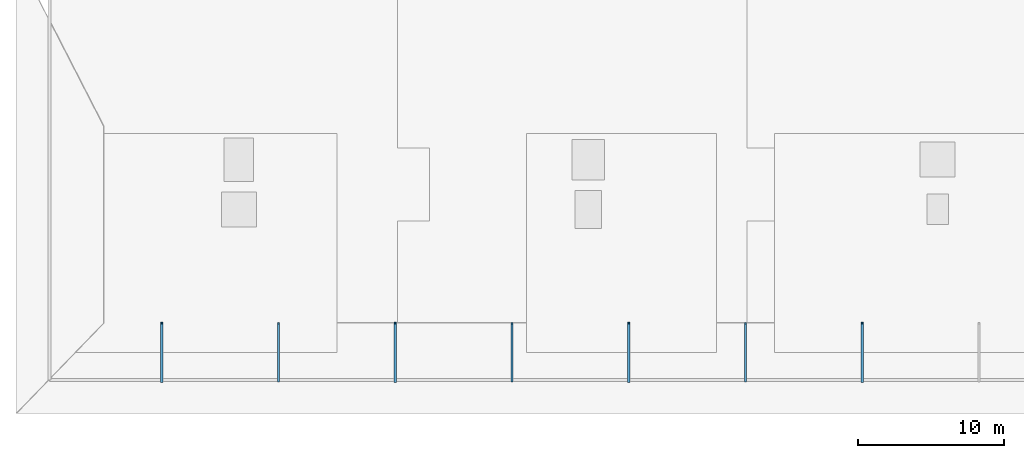
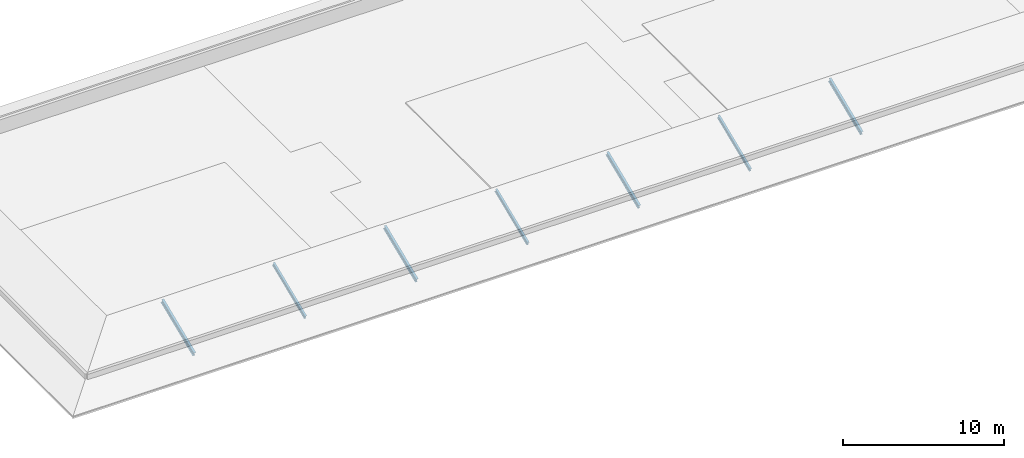
# One storey, part 1 of 98: 7 members.
"""IFC4 building model written with IfcOpenShell, lengths in metres."""

from ifc_helpers import new_model, si_unit, direction, frame, origin, origin_2d, place, context, subcontext, project, spatial, i_section, extrude, material, material_profile, profile_set, type_object, element, save


model = new_model("IFC4")

# Units and contexts
model_context = context("Model", 3, precision=1e-05, world=origin(), true_north=direction((0.0, 1.0)))
body_context = subcontext(model_context, "Body", "Model", "MODEL_VIEW")
ifc_project = project(units=[si_unit("LENGTHUNIT", "METRE"), si_unit("AREAUNIT", "SQUARE_METRE"), si_unit("VOLUMEUNIT", "CUBIC_METRE"), si_unit("PLANEANGLEUNIT", "RADIAN"), si_unit("MASSUNIT", "GRAM", prefix="KILO")], contexts=[model_context])

# Site, building, storey
site_placement = place(None, origin())
site = spatial("IfcSite", under=ifc_project, at=site_placement, CompositionType="ELEMENT")
building_placement = place(site_placement, origin())
building = spatial("IfcBuilding", under=site, at=building_placement, Name="Tlacozan Convention Centre", CompositionType="ELEMENT")
storey_placement = place(building_placement, frame((0.0, 0.0, 25.800048828125)))
storey = spatial("IfcBuildingStorey", under=building, at=storey_placement, Name="Roof", CompositionType="ELEMENT", Elevation=25.800048828125)

# Members
ifc_material = material(Name="Steel ASTM A992 Grade 50", Category="steel")
ifc_material_profile_1 = material_profile(ifc_material, i_section(OverallWidth=0.14697265625, OverallDepth=0.261962890625, WebThickness=0.006591796875, FlangeThickness=0.01123046875, FilletRadius=0.008056640625, at=origin_2d()), Name="IR 254x38.5")
ifc_profile_set_1 = profile_set([ifc_material_profile_1], Name="Steel ASTM A992 Grade 50")
member_type_1 = type_object("IfcMemberType", Name="Prairie Eave Rafter IR 254x38.5", PredefinedType="RAFTER", material=ifc_profile_set_1)
for number, where, z_axis, x_axis, name in (
    (1, (16.0, 0.0, 0.0), (0.0, 0.922810079475, 0.385255184546), (-1.0, 0.0, 0.0), "V1 South Hip Rafter 2"),
    (2, (32.0, 0.0, 0.0), (0.0, 0.922810079475, 0.385255184546), (-1.0, 0.0, 0.0), "V1 South Hip Rafter 4"),
    (3, (48.0, 0.0, 0.0), (0.0, 0.922810079475, 0.385255184546), (-1.0, 0.0, 0.0), "V1 South Hip Rafter 6"),
):
    element("IfcMember", number, at=place(storey_placement, frame(where, z_axis=z_axis, x_axis=x_axis)), inside=storey, type_object=member_type_1, Name=name, PredefinedType="RAFTER", context=body_context, shape_type="SweptSolid", body=[
        extrude(i_section(OverallWidth=0.14697265625, OverallDepth=0.261962890625, WebThickness=0.006591796875, FlangeThickness=0.01123046875, FilletRadius=0.008056640625, at=origin_2d()), origin(), (0.0, 0.0, 1.0), 4.33447265625),
    ])
ifc_material_profile_2 = material_profile(ifc_material, i_section(OverallWidth=0.1669921875, OverallDepth=0.31689453125, WebThickness=0.007568359375, FlangeThickness=0.01318359375, FilletRadius=0.010009765625, at=origin_2d()), Name="IR 305x52.2")
ifc_profile_set_2 = profile_set([ifc_material_profile_2], Name="Steel ASTM A992 Grade 50")
member_type_2 = type_object("IfcMemberType", Name="Prairie Hip Rafter IR 305x52.2", PredefinedType="RAFTER", material=ifc_profile_set_2)
for number, where, z_axis, x_axis, name in (
    (4, (8.0, 0.0, 0.0), (0.0, 0.922810079475, 0.385255184546), (-1.0, 0.0, 0.0), "V1 South Hip Rafter 1"),
    (5, (24.0, 0.0, 0.0), (0.0, 0.922810079475, 0.385255184546), (-1.0, 0.0, 0.0), "V1 South Hip Rafter 3"),
    (6, (40.0, 0.0, 0.0), (0.0, 0.922810079475, 0.385255184546), (-1.0, 0.0, 0.0), "V1 South Hip Rafter 5"),
    (7, (56.0, 0.0, 0.0), (0.0, 0.922810079475, 0.385255184546), (-1.0, 0.0, 0.0), "V1 South Hip Rafter 7"),
):
    element("IfcMember", number, at=place(storey_placement, frame(where, z_axis=z_axis, x_axis=x_axis)), inside=storey, type_object=member_type_2, Name=name, PredefinedType="RAFTER", context=body_context, shape_type="SweptSolid", body=[
        extrude(i_section(OverallWidth=0.1669921875, OverallDepth=0.31689453125, WebThickness=0.007568359375, FlangeThickness=0.01318359375, FilletRadius=0.010009765625, at=origin_2d()), origin(), (0.0, 0.0, 1.0), 4.33447265625),
    ])

save(model, "model.ifc")
